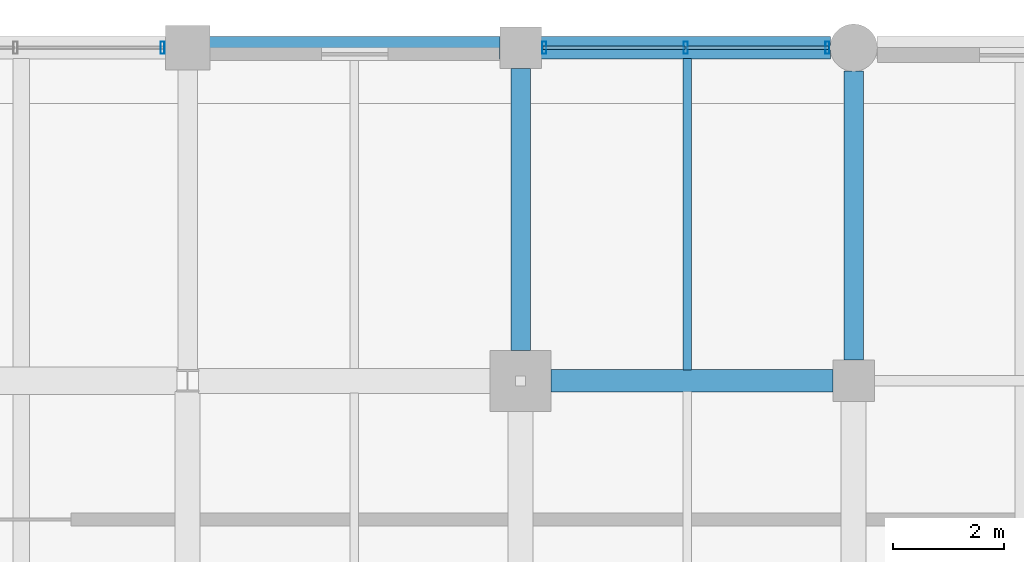
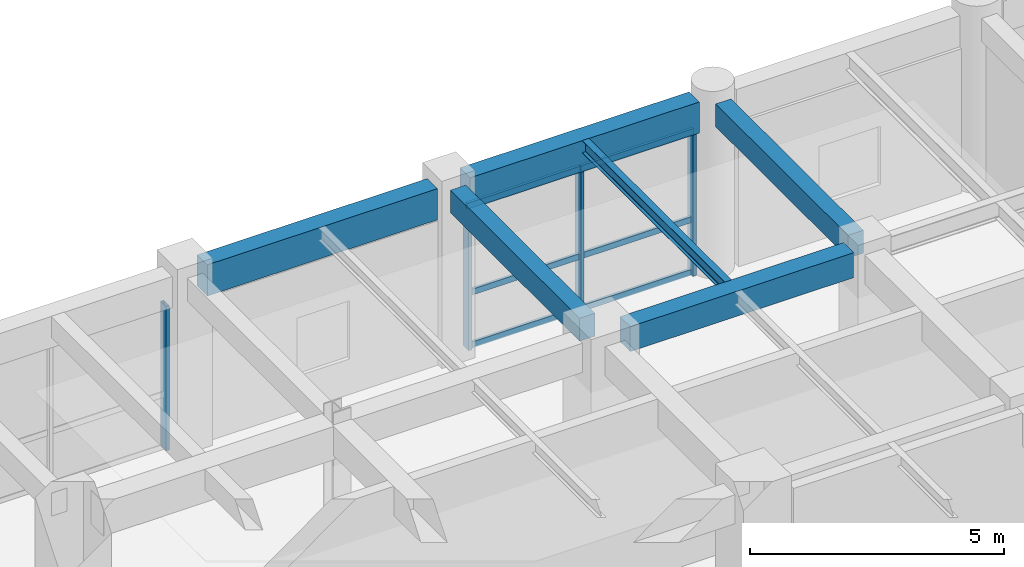
# One storey, part 55 of 133: 10 members, 6 beams, 2 elements without a shape of their own.
"""IFC4 building model written with IfcOpenShell, lengths in metres."""

from ifc_helpers import new_model, si_unit, direction, frame, origin, origin_2d, place, context, subcontext, project, spatial, rectangle, hollow_rectangle, i_section, extrude, material, material_profile, profile_set, type_object, element, aggregate, save


model = new_model("IFC4")

# Units and contexts
model_context = context("Model", 3, precision=1e-05, world=origin(), true_north=direction((0.0, 1.0)))
body_context = subcontext(model_context, "Body", "Model", "MODEL_VIEW")
ifc_project = project(units=[si_unit("LENGTHUNIT", "METRE"), si_unit("AREAUNIT", "SQUARE_METRE"), si_unit("VOLUMEUNIT", "CUBIC_METRE"), si_unit("PLANEANGLEUNIT", "RADIAN"), si_unit("MASSUNIT", "GRAM", prefix="KILO"), si_unit("THERMODYNAMICTEMPERATUREUNIT", "KELVIN"), si_unit("POWERUNIT", "WATT")], contexts=[model_context])

# Site, building, storey
site_placement = place(None, origin())
site = spatial("IfcSite", under=ifc_project, at=site_placement, CompositionType="ELEMENT")
building_placement = place(site_placement, origin())
building = spatial("IfcBuilding", under=site, at=building_placement, Name="Phaisarnlok Congress Hotel", CompositionType="ELEMENT")
storey_placement = place(building_placement, frame((0.0, 0.0, 6.0)))
storey = spatial("IfcBuildingStorey", under=building, at=storey_placement, Name="L01", CompositionType="ELEMENT", Elevation=6.0)

# Beams
ifc_material_1 = material(Name="Concrete C40/50", Category="concrete")
ifc_material_profile_1 = material_profile(ifc_material_1, rectangle(XDim=0.35009765625, YDim=0.550048828125, at=origin_2d()), Name="RC 350x550")
ifc_profile_set_1 = profile_set([ifc_material_profile_1], Name="Concrete C40/50")
beam_type_1 = type_object("IfcBeamType", Name="BM-RC-350x550", PredefinedType="BEAM", material=ifc_profile_set_1)
beam_1_placement = place(storey_placement, frame((120.0, 120.544921875, 3.945068359375), z_axis=(0.0, 1.0, 0.0), x_axis=(-1.0, 0.0, 0.0)))
element("IfcBeam", 1, at=beam_1_placement, inside=storey, type_object=beam_type_1, Name="Beam B-01", PredefinedType="BEAM", context=body_context, shape_type="SweptSolid", body=[
    extrude(rectangle(XDim=0.35009765625, YDim=0.550048828125, at=origin_2d()), origin(), (0.0, 0.0, 1.0), 5.0849609375),
])
beam_2_placement = place(storey_placement, frame((126.0, 120.3701171875, 3.945068359375), z_axis=(0.0, 1.0, 0.0), x_axis=(-1.0, 0.0, 0.0)))
element("IfcBeam", 2, at=beam_2_placement, inside=storey, type_object=beam_type_1, Name="Beam B-01", PredefinedType="BEAM", context=body_context, shape_type="SweptSolid", body=[
    extrude(rectangle(XDim=0.35009765625, YDim=0.550048828125, at=origin_2d()), origin(), (0.0, 0.0, 1.0), 5.2099609375),
])
ifc_material_profile_2 = material_profile(ifc_material_1, rectangle(XDim=0.39990234375, YDim=0.60009765625, at=origin_2d()), Name="RC 400x600")
ifc_profile_set_2 = profile_set([ifc_material_profile_2], Name="Concrete C40/50")
beam_type_2 = type_object("IfcBeamType", Name="BM-RC-400x600", PredefinedType="BEAM", material=ifc_profile_set_2)
beam_3_placement = place(storey_placement, frame((120.544921875, 120.0, 3.919921875), z_axis=(1.0, 0.0, 0.0), x_axis=(0.0, 1.0, 0.0)))
element("IfcBeam", 3, at=beam_3_placement, inside=storey, type_object=beam_type_2, Name="Beam B-02", PredefinedType="BEAM", context=body_context, shape_type="SweptSolid", body=[
    extrude(rectangle(XDim=0.39990234375, YDim=0.60009765625, at=origin_2d()), origin(), (0.0, 0.0, 1.0), 5.0849609375),
])

# Curtain wall, members
ifc_material_2 = material(Name="Thermally Broken Unitised Aluminium & Low-E Glazing", Category="aluminium")
curtain_wall_type_1 = type_object("IfcCurtainWallType", Name="CW-UNIT-15", PredefinedType="NOTDEFINED", material=ifc_material_2)
curtain_wall_1_placement = place(storey_placement, origin())
curtain_wall_1 = element("IfcCurtainWall", 4, at=curtain_wall_1_placement, inside=storey, type_object=curtain_wall_type_1, Name="Unitised curtain wall CW-15 (L01)", PredefinedType="NOTDEFINED")
ifc_material_3 = material(Name="Anodised Aluminium Alloy 6063-T6", Category="aluminium")
ifc_material_profile_3 = material_profile(ifc_material_3, hollow_rectangle(XDim=0.074951171875, YDim=0.219970703125, WallThickness=0.0048828125, at=origin_2d()), Name="ALU-M 75x220x5")
ifc_profile_set_3 = profile_set([ifc_material_profile_3], Name="Anodised Aluminium Alloy 6063-T6")
member_type_1 = type_object("IfcMemberType", Name="CWM-220", PredefinedType="MULLION", material=ifc_profile_set_3)
member_1_placement = place(storey_placement, frame((125.52490234375, 126.0, 0.0), z_axis=(0.0, 0.0, 1.0), x_axis=(-1.0, 0.0, 0.0)))
member_1 = element("IfcMember", 5, at=member_1_placement, type_object=member_type_1, Name="Curtain wall mullion CWM-02", PredefinedType="MULLION", context=body_context, shape_type="SweptSolid", body=[
    extrude(hollow_rectangle(XDim=0.074951171875, YDim=0.219970703125, WallThickness=0.0048828125, at=origin_2d()), origin(), (0.0, 0.0, 1.0), 3.469970703125),
])
member_2_placement = place(storey_placement, frame((122.97509765625, 126.0, 0.0), z_axis=(0.0, 0.0, 1.0), x_axis=(-1.0, 0.0, 0.0)))
member_2 = element("IfcMember", 6, at=member_2_placement, type_object=member_type_1, Name="Curtain wall mullion CWM-02", PredefinedType="MULLION", context=body_context, shape_type="SweptSolid", body=[
    extrude(hollow_rectangle(XDim=0.074951171875, YDim=0.219970703125, WallThickness=0.0048828125, at=origin_2d()), origin(), (0.0, 0.0, 1.0), 3.469970703125),
])
member_3_placement = place(storey_placement, frame((120.425048828125, 126.0, 0.0), z_axis=(0.0, 0.0, 1.0), x_axis=(-1.0, 0.0, 0.0)))
member_3 = element("IfcMember", 7, at=member_3_placement, type_object=member_type_1, Name="Curtain wall mullion CWM-02", PredefinedType="MULLION", context=body_context, shape_type="SweptSolid", body=[
    extrude(hollow_rectangle(XDim=0.074951171875, YDim=0.219970703125, WallThickness=0.0048828125, at=origin_2d()), origin(), (0.0, 0.0, 1.0), 3.469970703125),
])

# Curtain wall, member
curtain_wall_type_2 = type_object("IfcCurtainWallType", Name="CW-UNIT-14", PredefinedType="NOTDEFINED", material=ifc_material_2)
curtain_wall_2_placement = place(storey_placement, origin())
curtain_wall_2 = element("IfcCurtainWall", 8, at=curtain_wall_2_placement, inside=storey, type_object=curtain_wall_type_2, Name="Unitised curtain wall CW-14 (L01)", PredefinedType="NOTDEFINED")
member_4_placement = place(storey_placement, frame((113.550048828125, 126.0, 0.0), z_axis=(0.0, 0.0, 1.0), x_axis=(-1.0, 0.0, 0.0)))
member_4 = element("IfcMember", 9, at=member_4_placement, type_object=member_type_1, Name="Curtain wall mullion CWM-02", PredefinedType="MULLION", context=body_context, shape_type="SweptSolid", body=[
    extrude(hollow_rectangle(XDim=0.074951171875, YDim=0.219970703125, WallThickness=0.0048828125, at=origin_2d()), origin(), (0.0, 0.0, 1.0), 3.469970703125),
])
aggregate(curtain_wall_2, [member_4])

# Member
ifc_material_profile_4 = material_profile(ifc_material_3, hollow_rectangle(XDim=0.06494140625, YDim=0.139892578125, WallThickness=0.00390625, at=origin_2d()), Name="ALU-T 65x140x4")
ifc_profile_set_4 = profile_set([ifc_material_profile_4], Name="Anodised Aluminium Alloy 6063-T6")
member_type_2 = type_object("IfcMemberType", Name="CWT-150", PredefinedType="USERDEFINED", material=ifc_profile_set_4)
member_5_placement = place(storey_placement, frame((125.550048828125, 126.0, 0.050048828125), z_axis=(-1.0, 0.0, 0.0), x_axis=(0.0, -1.0, 0.0)))
member_5 = element("IfcMember", 10, at=member_5_placement, type_object=member_type_2, Name="Curtain wall transom CWT-01", ObjectType="TRANSOM", PredefinedType="USERDEFINED", context=body_context, shape_type="SweptSolid", body=[
    extrude(hollow_rectangle(XDim=0.06494140625, YDim=0.139892578125, WallThickness=0.00390625, at=origin_2d()), origin(), (0.0, 0.0, 1.0), 2.56005859375),
])

member_6_placement = place(storey_placement, frame((125.550048828125, 126.0, 1.318603515625), z_axis=(-1.0, 0.0, 0.0), x_axis=(0.0, -1.0, 0.0)))
member_6 = element("IfcMember", 11, at=member_6_placement, type_object=member_type_2, Name="Curtain wall transom CWT-01", ObjectType="TRANSOM", PredefinedType="USERDEFINED", context=body_context, shape_type="SweptSolid", body=[
    extrude(hollow_rectangle(XDim=0.06494140625, YDim=0.139892578125, WallThickness=0.00390625, at=origin_2d()), origin(), (0.0, 0.0, 1.0), 2.56005859375),
])

member_7_placement = place(storey_placement, frame((125.550048828125, 126.0, 3.419921875), z_axis=(-1.0, 0.0, 0.0), x_axis=(0.0, -1.0, 0.0)))
member_7 = element("IfcMember", 12, at=member_7_placement, type_object=member_type_2, Name="Curtain wall transom CWT-01", ObjectType="TRANSOM", PredefinedType="USERDEFINED", context=body_context, shape_type="SweptSolid", body=[
    extrude(hollow_rectangle(XDim=0.06494140625, YDim=0.139892578125, WallThickness=0.00390625, at=origin_2d()), origin(), (0.0, 0.0, 1.0), 2.56005859375),
])

member_8_placement = place(storey_placement, frame((122.9599609375, 126.0, 0.050048828125), z_axis=(-1.0, 0.0, 0.0), x_axis=(0.0, -1.0, 0.0)))
member_8 = element("IfcMember", 13, at=member_8_placement, type_object=member_type_2, Name="Curtain wall transom CWT-01", ObjectType="TRANSOM", PredefinedType="USERDEFINED", context=body_context, shape_type="SweptSolid", body=[
    extrude(hollow_rectangle(XDim=0.06494140625, YDim=0.139892578125, WallThickness=0.00390625, at=origin_2d()), origin(), (0.0, 0.0, 1.0), 2.56005859375),
])

member_9_placement = place(storey_placement, frame((122.9599609375, 126.0, 1.318603515625), z_axis=(-1.0, 0.0, 0.0), x_axis=(0.0, -1.0, 0.0)))
member_9 = element("IfcMember", 14, at=member_9_placement, type_object=member_type_2, Name="Curtain wall transom CWT-01", ObjectType="TRANSOM", PredefinedType="USERDEFINED", context=body_context, shape_type="SweptSolid", body=[
    extrude(hollow_rectangle(XDim=0.06494140625, YDim=0.139892578125, WallThickness=0.00390625, at=origin_2d()), origin(), (0.0, 0.0, 1.0), 2.56005859375),
])

member_10_placement = place(storey_placement, frame((122.9599609375, 126.0, 3.419921875), z_axis=(-1.0, 0.0, 0.0), x_axis=(0.0, -1.0, 0.0)))
member_10 = element("IfcMember", 15, at=member_10_placement, type_object=member_type_2, Name="Curtain wall transom CWT-01", ObjectType="TRANSOM", PredefinedType="USERDEFINED", context=body_context, shape_type="SweptSolid", body=[
    extrude(hollow_rectangle(XDim=0.06494140625, YDim=0.139892578125, WallThickness=0.00390625, at=origin_2d()), origin(), (0.0, 0.0, 1.0), 2.56005859375),
])

aggregate(curtain_wall_1, [member_1, member_2, member_3, member_5, member_6, member_7, member_8, member_9, member_10])

# Beams
ifc_material_4 = material(Name="Steel S355", Category="steel")
ifc_material_profile_5 = material_profile(ifc_material_4, i_section(OverallWidth=0.14990234375, OverallDepth=0.300048828125, WebThickness=0.007080078125, FlangeThickness=0.0107421875, FilletRadius=0.014892578125, at=origin_2d()), Name="IPE 300")
ifc_profile_set_5 = profile_set([ifc_material_profile_5], Name="Steel S355")
beam_type_3 = type_object("IfcBeamType", Name="JS-STL-IPE300", PredefinedType="JOIST", material=ifc_profile_set_5)
beam_4_placement = place(storey_placement, frame((123.0, 120.195068359375, 4.070068359375), z_axis=(0.0, 1.0, 0.0), x_axis=(-1.0, 0.0, 0.0)))
element("IfcBeam", 16, at=beam_4_placement, inside=storey, type_object=beam_type_3, Name="Secondary floor joist J-03", PredefinedType="JOIST", context=body_context, shape_type="SweptSolid", body=[
    extrude(i_section(OverallWidth=0.14990234375, OverallDepth=0.300048828125, WebThickness=0.007080078125, FlangeThickness=0.0107421875, FilletRadius=0.014892578125, at=origin_2d()), origin(), (0.0, 0.0, 1.0), 5.60986328125),
])
ifc_material_profile_6 = material_profile(ifc_material_1, rectangle(XDim=0.39990234375, YDim=0.75, at=origin_2d()), Name="RC 400x750")
ifc_profile_set_6 = profile_set([ifc_material_profile_6], Name="Concrete C40/50")
beam_type_4 = type_object("IfcBeamType", Name="SP-RC-400x750", PredefinedType="SPANDREL", material=ifc_profile_set_6)
beam_5_placement = place(storey_placement, frame((114.39501953125, 126.0, 3.844970703125), z_axis=(1.0, 0.0, 0.0), x_axis=(0.0, 1.0, 0.0)))
element("IfcBeam", 17, at=beam_5_placement, inside=storey, type_object=beam_type_4, Name="Beam SP-02", PredefinedType="SPANDREL", context=body_context, shape_type="SweptSolid", body=[
    extrude(rectangle(XDim=0.39990234375, YDim=0.75, at=origin_2d()), origin(), (0.0, 0.0, 1.0), 5.23486328125),
])
beam_6_placement = place(storey_placement, frame((120.3701171875, 126.0, 3.844970703125), z_axis=(1.0, 0.0, 0.0), x_axis=(0.0, 1.0, 0.0)))
element("IfcBeam", 18, at=beam_6_placement, inside=storey, type_object=beam_type_4, Name="Beam SP-02", PredefinedType="SPANDREL", context=body_context, shape_type="SweptSolid", body=[
    extrude(rectangle(XDim=0.39990234375, YDim=0.75, at=origin_2d()), origin(), (0.0, 0.0, 1.0), 5.2099609375),
])

save(model, "model.ifc")
